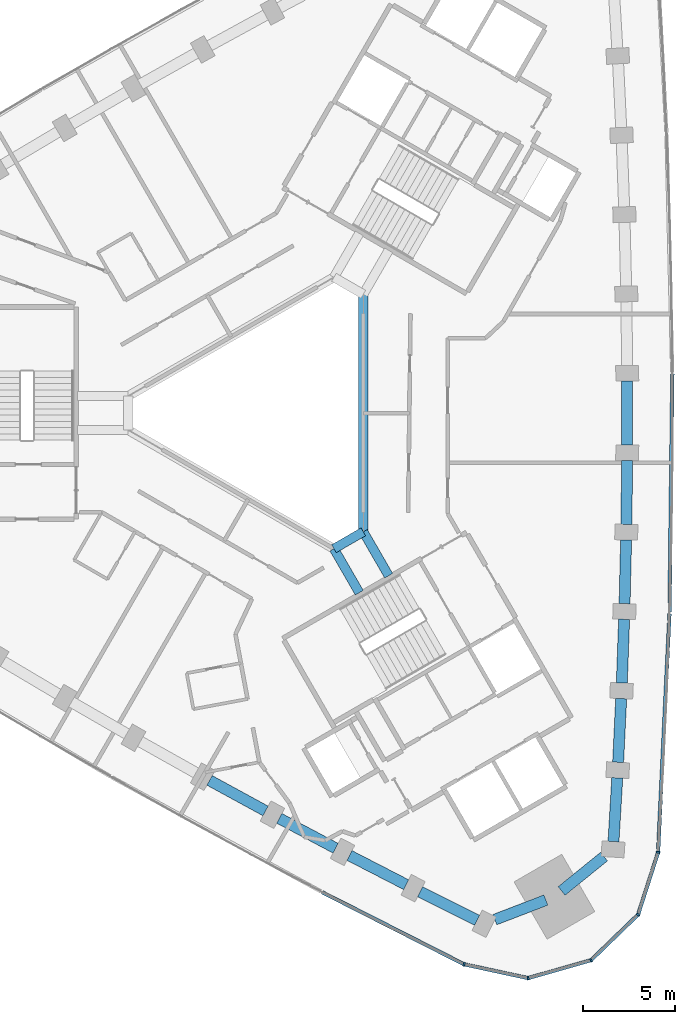
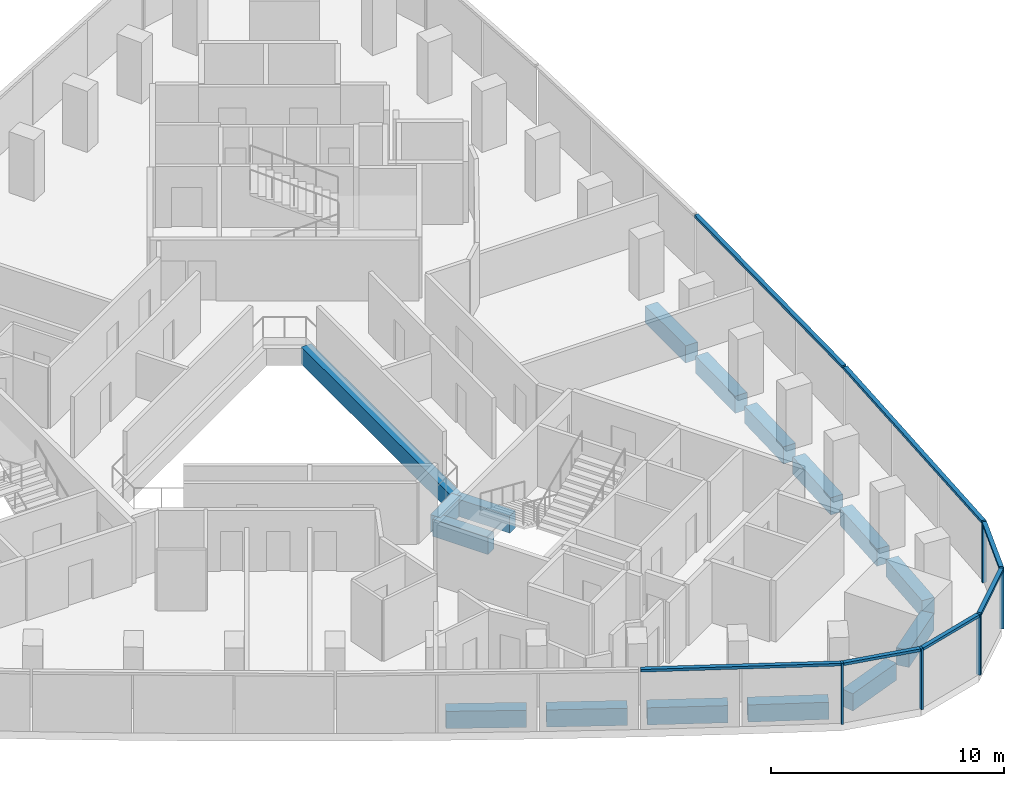
# One storey, part 3 of 12: 16 beams, 12 members, 2 elements without a shape of their own.
"""IFC4 building model written with IfcOpenShell, lengths in metres."""

from ifc_helpers import new_model, si_unit, direction, frame, origin, origin_2d, place, context, subcontext, project, spatial, rectangle, extrude, material, material_profile, profile_set, type_object, element, aggregate, save


model = new_model("IFC4")

# Units and contexts
model_context = context("Model", 3, precision=1e-05, world=origin(), true_north=direction((0.0, 1.0)))
body_context = subcontext(model_context, "Body", "Model", "MODEL_VIEW")
ifc_project = project(units=[si_unit("LENGTHUNIT", "METRE"), si_unit("AREAUNIT", "SQUARE_METRE"), si_unit("VOLUMEUNIT", "CUBIC_METRE"), si_unit("PLANEANGLEUNIT", "RADIAN"), si_unit("MASSUNIT", "GRAM", prefix="KILO")], contexts=[model_context])

# Site, building, storey
site_placement = place(None, origin())
site = spatial("IfcSite", under=ifc_project, at=site_placement, CompositionType="ELEMENT")
building_placement = place(site_placement, origin())
building = spatial("IfcBuilding", under=site, at=building_placement, Name="Tamra Quay Hotel Tower", CompositionType="ELEMENT")
storey_placement = place(building_placement, frame((0.0, 0.0, 143.199951171875)))
storey = spatial("IfcBuildingStorey", under=building, at=storey_placement, Name="L35", CompositionType="ELEMENT", Elevation=143.199951171875)

# Beams
ifc_material_1 = material(Name="Concrete M60", Category="concrete")
ifc_material_profile_1 = material_profile(ifc_material_1, rectangle(XDim=0.5, YDim=0.89990234375, at=origin_2d()), Name="ATRIUM EDGE BEAM RC 500x900")
ifc_profile_set_1 = profile_set([ifc_material_profile_1], Name="Concrete M60")
beam_type_1 = type_object("IfcBeamType", Name="ATRIUM EDGE BEAM RC 500x900", PredefinedType="BEAM", material=ifc_profile_set_1)
beam_1_placement = place(storey_placement, frame((4.800048828125, 6.46630859375, -0.849853515625), z_axis=(0.0, -1.0, 0.0), x_axis=(1.0, 0.0, 0.0)))
element("IfcBeam", 1, at=beam_1_placement, inside=storey, type_object=beam_type_1, Name="BM-AB0-L35", PredefinedType="BEAM", context=body_context, shape_type="SweptSolid", body=[
    extrude(rectangle(XDim=0.5, YDim=0.89990234375, at=origin_2d()), origin(), (0.0, 0.0, 1.0), 12.9326171875),
])
beam_2_placement = place(storey_placement, frame((4.800048828125, -6.46630859375, -0.849853515625), z_axis=(-0.86602275259, -0.500004591975, 0.0), x_axis=(0.500004591975, -0.86602275259, 0.0)))
element("IfcBeam", 2, at=beam_2_placement, inside=storey, type_object=beam_type_1, Name="BM-AB1-L35", PredefinedType="BEAM", context=body_context, shape_type="SweptSolid", body=[
    extrude(rectangle(XDim=0.5, YDim=0.89990234375, at=origin_2d()), origin(), (0.0, 0.0, 1.0), 1.84765625),
])
ifc_material_profile_2 = material_profile(ifc_material_1, rectangle(XDim=0.5, YDim=0.89990234375, at=origin_2d()), Name="ATRIUM TIE BEAM RC 500x900")
ifc_profile_set_2 = profile_set([ifc_material_profile_2], Name="Concrete M60")
beam_type_2 = type_object("IfcBeamType", Name="ATRIUM TIE BEAM RC 500x900", PredefinedType="BEAM", material=ifc_profile_set_2)
for number, where, z_axis, x_axis, name in (
    (3, (4.800048828125, -6.46630859375, -0.849853515625), (0.500008091576, -0.86602073206, 0.0), (0.86602073206, 0.500008091576, 0.0), "BM-TIE-1-L35"),
    (4, (3.199951171875, -7.39013671875, -0.849853515625), (0.500008091576, -0.86602073206, 0.0), (0.86602073206, 0.500008091576, 0.0), "BM-TIE-2-L35"),
):
    element("IfcBeam", number, at=place(storey_placement, frame(where, z_axis=z_axis, x_axis=x_axis)), inside=storey, type_object=beam_type_2, Name=name, PredefinedType="BEAM", context=body_context, shape_type="SweptSolid", body=[
        extrude(rectangle(XDim=0.5, YDim=0.89990234375, at=origin_2d()), origin(), (0.0, 0.0, 1.0), 2.76220703125),
    ])

# Curtain wall, member
ifc_material_2 = material(Name="Aluminium 6063 anodised dark grey", Category="aluminium")
curtain_wall_type_1 = type_object("IfcCurtainWallType", Name="CW1 CURTAIN WALL", PredefinedType="NOTDEFINED", material=ifc_material_2)
curtain_wall_1_placement = place(storey_placement, origin())
curtain_wall_1 = element("IfcCurtainWall", 5, at=curtain_wall_1_placement, inside=storey, type_object=curtain_wall_type_1, Name="CW1 east face L35", PredefinedType="NOTDEFINED")
ifc_material_profile_3 = material_profile(ifc_material_2, rectangle(XDim=0.199951171875, YDim=0.10009765625, at=origin_2d()), Name="MULLION 100X200")
ifc_profile_set_3 = profile_set([ifc_material_profile_3], Name="Aluminium 6063 anodised dark grey")
member_type_1 = type_object("IfcMemberType", Name="MULLION CW1 Z3", PredefinedType="MULLION", material=ifc_profile_set_3)
member_1_placement = place(storey_placement, frame((20.852294921875, -23.918212890625, 0.0), z_axis=(0.0, 0.0, 1.0), x_axis=(0.982883217826, -0.184229693905, 0.0)))
member_1 = element("IfcMember", 6, at=member_1_placement, type_object=member_type_1, Name="CW1 mullion L35.E.1", PredefinedType="MULLION", context=body_context, shape_type="SweptSolid", body=[
    extrude(rectangle(XDim=0.199951171875, YDim=0.10009765625, at=origin_2d()), origin(), (0.0, 0.0, 1.0), 3.199951171875),
])

# Curtain wall, members
curtain_wall_type_2 = type_object("IfcCurtainWallType", Name="CW3 CURTAIN WALL", PredefinedType="NOTDEFINED", material=ifc_material_2)
curtain_wall_2_placement = place(storey_placement, origin())
curtain_wall_2 = element("IfcCurtainWall", 7, at=curtain_wall_2_placement, inside=storey, type_object=curtain_wall_type_2, Name="CW3 south-west face L35", PredefinedType="NOTDEFINED")
ifc_material_profile_4 = material_profile(ifc_material_2, rectangle(XDim=0.199951171875, YDim=0.10009765625, at=origin_2d()), Name="MULLION 100X200")
ifc_profile_set_4 = profile_set([ifc_material_profile_4], Name="Aluminium 6063 anodised dark grey")
member_type_2 = type_object("IfcMemberType", Name="MULLION CW3 Z3", PredefinedType="MULLION", material=ifc_profile_set_4)
member_2_placement = place(storey_placement, frame((10.28759765625, -30.017578125, 0.0), z_axis=(0.0, 0.0, 1.0), x_axis=(-0.33189401386, -0.943316682543, 0.0)))
member_2 = element("IfcMember", 8, at=member_2_placement, type_object=member_type_2, Name="CW3 mullion L35.SW.12", PredefinedType="MULLION", context=body_context, shape_type="SweptSolid", body=[
    extrude(rectangle(XDim=0.199951171875, YDim=0.10009765625, at=origin_2d()), origin(), (0.0, 0.0, 1.0), 3.199951171875),
])
member_3_placement = place(storey_placement, frame((13.772216796875, -30.770263671875, 0.0), z_axis=(0.0, 0.0, 1.0), x_axis=(0.032727311619, -0.99946431806, 0.0)))
member_3 = element("IfcMember", 9, at=member_3_placement, type_object=member_type_2, Name="CW3 mullion L35.SW.13", PredefinedType="MULLION", context=body_context, shape_type="SweptSolid", body=[
    extrude(rectangle(XDim=0.199951171875, YDim=0.10009765625, at=origin_2d()), origin(), (0.0, 0.0, 1.0), 3.199951171875),
])
member_4_placement = place(storey_placement, frame((17.199951171875, -29.791259765625, 0.0), z_axis=(0.0, 0.0, 1.0), x_axis=(0.5, -0.866025403784, 0.0)))
member_4 = element("IfcMember", 10, at=member_4_placement, type_object=member_type_2, Name="CW3 mullion L35.SW.14", PredefinedType="MULLION", context=body_context, shape_type="SweptSolid", body=[
    extrude(rectangle(XDim=0.199951171875, YDim=0.10009765625, at=origin_2d()), origin(), (0.0, 0.0, 1.0), 3.199951171875),
])
member_5_placement = place(storey_placement, frame((19.76171875, -27.312255859375, 0.0), z_axis=(0.0, 0.0, 1.0), x_axis=(0.849197833806, -0.52807484229, 0.0)))
member_5 = element("IfcMember", 11, at=member_5_placement, type_object=member_type_2, Name="CW3 mullion L35.SW.15", PredefinedType="MULLION", context=body_context, shape_type="SweptSolid", body=[
    extrude(rectangle(XDim=0.199951171875, YDim=0.10009765625, at=origin_2d()), origin(), (0.0, 0.0, 1.0), 3.199951171875),
])

# Beams
ifc_material_profile_5 = material_profile(ifc_material_1, rectangle(XDim=0.60009765625, YDim=0.89990234375, at=origin_2d()), Name="SPANDREL BEAM RC 600x900")
ifc_profile_set_5 = profile_set([ifc_material_profile_5], Name="Concrete M60")
beam_type_3 = type_object("IfcBeamType", Name="SPANDREL BEAM RC 600x900", PredefinedType="SPANDREL", material=ifc_profile_set_5)
beam_3_placement = place(storey_placement, frame((18.422119140625, -23.3330078125, -0.849853515625), z_axis=(0.059620475238, 0.998221117254, 0.0), x_axis=(-0.998221117254, 0.059620475238, 0.0)))
element("IfcBeam", 12, at=beam_3_placement, inside=storey, type_object=beam_type_3, Name="BM-SP3-000-L35", PredefinedType="SPANDREL", context=body_context, shape_type="SweptSolid", body=[
    extrude(rectangle(XDim=0.60009765625, YDim=0.89990234375, at=origin_2d()), origin(), (0.0, 0.0, 1.0), 3.472412109375),
])
beam_4_placement = place(storey_placement, frame((18.6748046875, -19.017822265625, -0.849853515625), z_axis=(0.047732145575, 0.998860171535, 0.0), x_axis=(-0.998860171535, 0.047732145575, 0.0)))
element("IfcBeam", 13, at=beam_4_placement, inside=storey, type_object=beam_type_3, Name="BM-SP3-001-L35", PredefinedType="SPANDREL", context=body_context, shape_type="SweptSolid", body=[
    extrude(rectangle(XDim=0.60009765625, YDim=0.89990234375, at=origin_2d()), origin(), (0.0, 0.0, 1.0), 3.472900390625),
])
beam_5_placement = place(storey_placement, frame((18.876220703125, -14.69970703125, -0.849853515625), z_axis=(0.035786826945, 0.999359446354, 0.0), x_axis=(-0.999359446354, 0.035786826945, 0.0)))
element("IfcBeam", 14, at=beam_5_placement, inside=storey, type_object=beam_type_3, Name="BM-SP3-002-L35", PredefinedType="SPANDREL", context=body_context, shape_type="SweptSolid", body=[
    extrude(rectangle(XDim=0.60009765625, YDim=0.89990234375, at=origin_2d()), origin(), (0.0, 0.0, 1.0), 3.472412109375),
])
beam_6_placement = place(storey_placement, frame((19.02587890625, -10.3798828125, -0.849853515625), z_axis=(0.023906514803, 0.999714198434, 0.0), x_axis=(-0.999714198434, 0.023906514803, 0.0)))
element("IfcBeam", 15, at=beam_6_placement, inside=storey, type_object=beam_type_3, Name="BM-SP3-003-L35", PredefinedType="SPANDREL", context=body_context, shape_type="SweptSolid", body=[
    extrude(rectangle(XDim=0.60009765625, YDim=0.89990234375, at=origin_2d()), origin(), (0.0, 0.0, 1.0), 3.47216796875),
])
beam_7_placement = place(storey_placement, frame((19.124267578125, -6.05859375, -0.849853515625), z_axis=(0.011951617666, 0.999928576867, 0.0), x_axis=(-0.999928576867, 0.011951617666, 0.0)))
element("IfcBeam", 16, at=beam_7_placement, inside=storey, type_object=beam_type_3, Name="BM-SP3-004-L35", PredefinedType="SPANDREL", context=body_context, shape_type="SweptSolid", body=[
    extrude(rectangle(XDim=0.60009765625, YDim=0.89990234375, at=origin_2d()), origin(), (0.0, 0.0, 1.0), 3.47265625),
])
beam_8_placement = place(storey_placement, frame((19.1708984375, -1.736083984375, -0.849853515625), z_axis=(0.0, 1.0, 0.0), x_axis=(-1.0, 0.0, 0.0)))
element("IfcBeam", 17, at=beam_8_placement, inside=storey, type_object=beam_type_3, Name="BM-SP3-005-L35", PredefinedType="SPANDREL", context=body_context, shape_type="SweptSolid", body=[
    extrude(rectangle(XDim=0.60009765625, YDim=0.89990234375, at=origin_2d()), origin(), (0.0, 0.0, 1.0), 3.47216796875),
])
for number, where, z_axis, x_axis, name in (
    (18, (-3.571533203125, -20.003173828125, -0.849853515625), (0.877731617539, -0.479152593202, 0.0), (0.479152593202, 0.877731617539, 0.0), "BM-SP3-033-L35"),
    (19, (0.224609375, -22.06982421875, -0.849853515625), (0.883411391477, -0.468598243071, 0.0), (0.468598243071, 0.883411391477, 0.0), "BM-SP3-034-L35"),
):
    element("IfcBeam", number, at=place(storey_placement, frame(where, z_axis=z_axis, x_axis=x_axis)), inside=storey, type_object=beam_type_3, Name=name, PredefinedType="SPANDREL", context=body_context, shape_type="SweptSolid", body=[
        extrude(rectangle(XDim=0.60009765625, YDim=0.89990234375, at=origin_2d()), origin(), (0.0, 0.0, 1.0), 3.472412109375),
    ])
beam_9_placement = place(storey_placement, frame((4.04541015625, -24.0908203125, -0.849853515625), z_axis=(0.888919913451, -0.458062645792, 0.0), x_axis=(0.458062645792, 0.888919913451, 0.0)))
element("IfcBeam", 20, at=beam_9_placement, inside=storey, type_object=beam_type_3, Name="BM-SP3-035-L35", PredefinedType="SPANDREL", context=body_context, shape_type="SweptSolid", body=[
    extrude(rectangle(XDim=0.60009765625, YDim=0.89990234375, at=origin_2d()), origin(), (0.0, 0.0, 1.0), 3.472900390625),
])
beam_10_placement = place(storey_placement, frame((7.890380859375, -26.066650390625, -0.849853515625), z_axis=(0.894314670292, -0.447438566174, 0.0), x_axis=(0.447438566174, 0.894314670292, 0.0)))
element("IfcBeam", 21, at=beam_10_placement, inside=storey, type_object=beam_type_3, Name="BM-SP3-036-L35", PredefinedType="SPANDREL", context=body_context, shape_type="SweptSolid", body=[
    extrude(rectangle(XDim=0.60009765625, YDim=0.89990234375, at=origin_2d()), origin(), (0.0, 0.0, 1.0), 3.472412109375),
])
beam_11_placement = place(storey_placement, frame((11.960693359375, -27.586181640625, -0.849853515625), z_axis=(0.933527198951, 0.358506581278, 0.0), x_axis=(-0.358506581278, 0.933527198951, 0.0)))
element("IfcBeam", 22, at=beam_11_placement, inside=storey, type_object=beam_type_3, Name="BM-SP3-037-L35", PredefinedType="SPANDREL", context=body_context, shape_type="SweptSolid", body=[
    extrude(rectangle(XDim=0.60009765625, YDim=0.89990234375, at=origin_2d()), origin(), (0.0, 0.0, 1.0), 2.97802734375),
])
beam_12_placement = place(storey_placement, frame((15.595703125, -26.02490234375, -0.849853515625), z_axis=(0.777183767602, 0.629273701482, 0.0), x_axis=(-0.629273701482, 0.777183767602, 0.0)))
element("IfcBeam", 23, at=beam_12_placement, inside=storey, type_object=beam_type_3, Name="BM-SP3-038-L35", PredefinedType="SPANDREL", context=body_context, shape_type="SweptSolid", body=[
    extrude(rectangle(XDim=0.60009765625, YDim=0.89990234375, at=origin_2d()), origin(), (0.0, 0.0, 1.0), 2.977783203125),
])

# Member
ifc_material_profile_6 = material_profile(ifc_material_2, rectangle(XDim=0.199951171875, YDim=0.139892578125, at=origin_2d()), Name="TRANSOM 200X140")
ifc_profile_set_6 = profile_set([ifc_material_profile_6], Name="Aluminium 6063 anodised dark grey")
member_type_3 = type_object("IfcMemberType", Name="TRANSOM CW1 Z3", PredefinedType="USERDEFINED", material=ifc_profile_set_6)
member_6_placement = place(storey_placement, frame((20.855224609375, -23.868408203125, 3.130126953125), z_axis=(0.047736167082, 0.998859979353, 0.0), x_axis=(-0.998859979353, 0.047736167082, 0.0)))
member_6 = element("IfcMember", 24, at=member_6_placement, type_object=member_type_3, Name="CW1 transom L35.E.1", ObjectType="TRANSOM", PredefinedType="USERDEFINED", context=body_context, shape_type="SweptSolid", body=[
    extrude(rectangle(XDim=0.199951171875, YDim=0.139892578125, at=origin_2d()), origin(), (0.0, 0.0, 1.0), 12.95458984375),
])

member_7_placement = place(storey_placement, frame((21.476806640625, -10.828369140625, 3.130126953125), z_axis=(0.011947434123, 0.999928626862, 0.0), x_axis=(-0.999928626862, 0.011947434123, 0.0)))
member_7 = element("IfcMember", 25, at=member_7_placement, type_object=member_type_3, Name="CW1 transom L35.E.4", ObjectType="TRANSOM", PredefinedType="USERDEFINED", context=body_context, shape_type="SweptSolid", body=[
    extrude(rectangle(XDim=0.199951171875, YDim=0.139892578125, at=origin_2d()), origin(), (0.0, 0.0, 1.0), 12.95556640625),
])

aggregate(curtain_wall_1, [member_1, member_6, member_7])

ifc_material_profile_7 = material_profile(ifc_material_2, rectangle(XDim=0.199951171875, YDim=0.139892578125, at=origin_2d()), Name="TRANSOM 200X140")
ifc_profile_set_7 = profile_set([ifc_material_profile_7], Name="Aluminium 6063 anodised dark grey")
member_type_4 = type_object("IfcMemberType", Name="TRANSOM CW3 Z3", PredefinedType="USERDEFINED", material=ifc_profile_set_7)
member_8_placement = place(storey_placement, frame((2.57275390625, -26.10009765625, 3.130126953125), z_axis=(0.891611423386, -0.452801357868, 0.0), x_axis=(0.452801357868, 0.891611423386, 0.0)))
member_8 = element("IfcMember", 26, at=member_8_placement, type_object=member_type_4, Name="CW3 transom L35.SW.10", ObjectType="TRANSOM", PredefinedType="USERDEFINED", context=body_context, shape_type="SweptSolid", body=[
    extrude(rectangle(XDim=0.199951171875, YDim=0.139892578125, at=origin_2d()), origin(), (0.0, 0.0, 1.0), 8.6025390625),
])

member_9_placement = place(storey_placement, frame((10.33642578125, -30.028076171875, 3.130126953125), z_axis=(0.977466057655, -0.211092648218, 0.0), x_axis=(0.211092648218, 0.977466057655, 0.0)))
member_9 = element("IfcMember", 27, at=member_9_placement, type_object=member_type_4, Name="CW3 transom L35.SW.12", ObjectType="TRANSOM", PredefinedType="USERDEFINED", context=body_context, shape_type="SweptSolid", body=[
    extrude(rectangle(XDim=0.199951171875, YDim=0.139892578125, at=origin_2d()), origin(), (0.0, 0.0, 1.0), 3.465087890625),
])

member_10_placement = place(storey_placement, frame((13.8203125, -30.75634765625, 3.130126953125), z_axis=(0.961558507518, 0.274600139513, 0.0), x_axis=(-0.274600139513, 0.961558507518, 0.0)))
member_10 = element("IfcMember", 28, at=member_10_placement, type_object=member_type_4, Name="CW3 transom L35.SW.13", ObjectType="TRANSOM", PredefinedType="USERDEFINED", context=body_context, shape_type="SweptSolid", body=[
    extrude(rectangle(XDim=0.199951171875, YDim=0.139892578125, at=origin_2d()), origin(), (0.0, 0.0, 1.0), 3.46484375),
])

member_11_placement = place(storey_placement, frame((17.23583984375, -29.756591796875, 3.130126953125), z_axis=(0.718602141767, 0.695421427516, 0.0), x_axis=(-0.695421427516, 0.718602141767, 0.0)))
member_11 = element("IfcMember", 29, at=member_11_placement, type_object=member_type_4, Name="CW3 transom L35.SW.14", ObjectType="TRANSOM", PredefinedType="USERDEFINED", context=body_context, shape_type="SweptSolid", body=[
    extrude(rectangle(XDim=0.199951171875, YDim=0.139892578125, at=origin_2d()), origin(), (0.0, 0.0, 1.0), 3.465087890625),
])

member_12_placement = place(storey_placement, frame((19.77685546875, -27.2646484375, 3.130126953125), z_axis=(0.305936194626, 0.952052017916, 0.0), x_axis=(-0.952052017916, 0.305936194626, 0.0)))
member_12 = element("IfcMember", 30, at=member_12_placement, type_object=member_type_4, Name="CW3 transom L35.SW.15", ObjectType="TRANSOM", PredefinedType="USERDEFINED", context=body_context, shape_type="SweptSolid", body=[
    extrude(rectangle(XDim=0.199951171875, YDim=0.139892578125, at=origin_2d()), origin(), (0.0, 0.0, 1.0), 3.465087890625),
])

aggregate(curtain_wall_2, [member_8, member_2, member_9, member_3, member_10, member_4, member_11, member_5, member_12])

save(model, "model.ifc")
